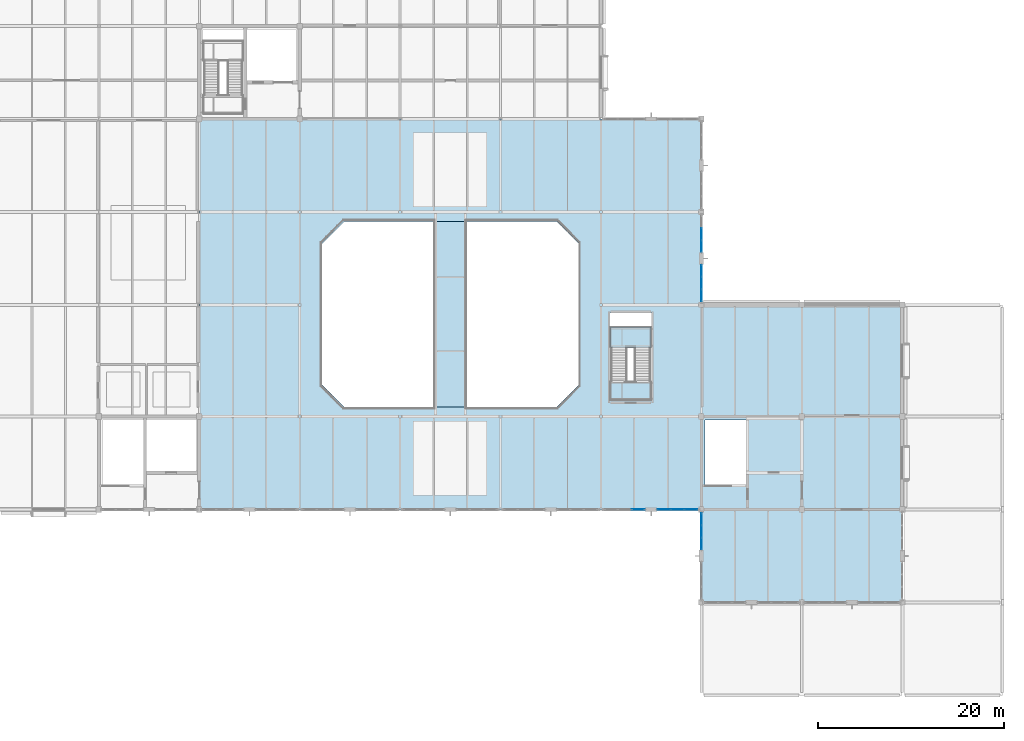
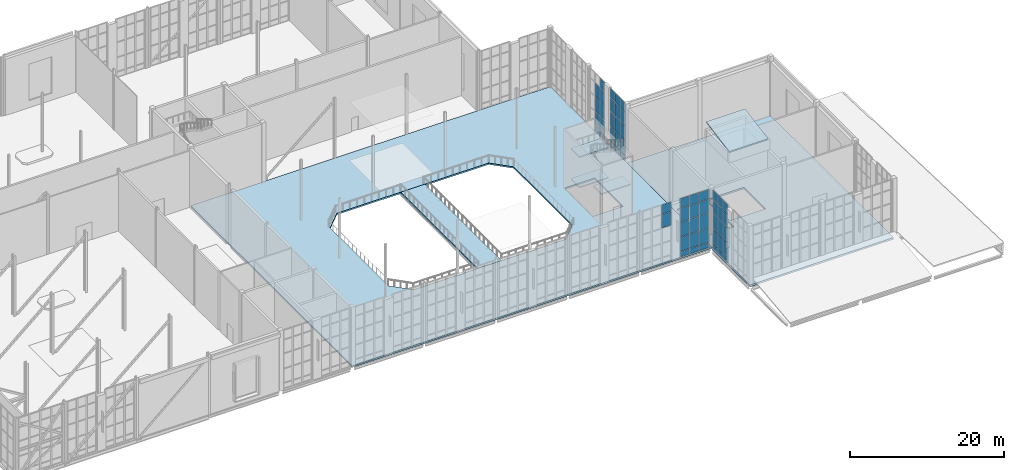
# One storey, part 68 of 100: 56 plates, 7 slabs, 6 elements without a shape of their own.
"""IFC4 building model written with IfcOpenShell, lengths in metres."""

from ifc_helpers import new_model, si_unit, direction, frame, origin, origin_2d, place, context, subcontext, project, spatial, polyline, rectangle, outline, extrude, material, layer, layer_set, type_object, element, aggregate, save


model = new_model("IFC4")

# Units and contexts
model_context = context("Model", 3, precision=1e-05, world=origin(), true_north=direction((0.0, 1.0)))
body_context = subcontext(model_context, "Body", "Model", "MODEL_VIEW")
ifc_project = project(units=[si_unit("LENGTHUNIT", "METRE"), si_unit("AREAUNIT", "SQUARE_METRE"), si_unit("VOLUMEUNIT", "CUBIC_METRE"), si_unit("PLANEANGLEUNIT", "RADIAN"), si_unit("MASSUNIT", "GRAM", prefix="KILO")], contexts=[model_context])

# Site, building, storey
site_placement = place(None, origin())
site = spatial("IfcSite", under=ifc_project, at=site_placement, CompositionType="ELEMENT")
building_placement = place(site_placement, origin())
building = spatial("IfcBuilding", under=site, at=building_placement, Name="Tasgan Crest Museum", CompositionType="ELEMENT")
storey_placement = place(building_placement, frame((0.0, 0.0, 14.39990234375)))
storey = spatial("IfcBuildingStorey", under=building, at=storey_placement, Name="L03", CompositionType="ELEMENT", Elevation=14.39990234375)

# Curtain wall, plates
ifc_material_1 = material(Name="Triple-Glazed Aluminium Curtain Wall", Category="aluminium")
ifc_layer_1 = layer(ifc_material_1, 0.179931640625, Name="CW-GAL-Y-96")
ifc_layer_set_1 = layer_set([ifc_layer_1], Name="Triple-Glazed Aluminium Curtain Wall")
curtain_wall_type_1 = type_object("IfcCurtainWallType", Name="CW-GAL-Y-96", PredefinedType="NOTDEFINED", material=ifc_layer_set_1)
curtain_wall_1_placement = place(storey_placement, origin())
curtain_wall_1 = element("IfcCurtainWall", 1, at=curtain_wall_1_placement, inside=storey, type_object=curtain_wall_type_1, Name="Curtain wall L03 111", PredefinedType="NOTDEFINED")
ifc_material_2 = material(Name="Insulated Spandrel Glass", Category="glass")
ifc_layer_2 = layer(ifc_material_2, 0.052001953125, Name="CW-PANEL-SPANDREL")
ifc_layer_set_2 = layer_set([ifc_layer_2], Name="Insulated Spandrel Glass")
plate_type_1 = type_object("IfcPlateType", Name="CW-PANEL-SPANDREL", PredefinedType="CURTAIN_PANEL", material=ifc_layer_set_2)
plate_1_placement = place(storey_placement, frame((108.0, 38.955078125, 0.06005859375), z_axis=(0.0, 0.0, 1.0), x_axis=(0.0, -1.0, 0.0)))
plate_1 = element("IfcPlate", 2, at=plate_1_placement, type_object=plate_type_1, Name="CW17 panel 1.1", PredefinedType="CURTAIN_PANEL", context=body_context, shape_type="SweptSolid", body=[
    extrude(rectangle(XDim=1.239990234375, YDim=0.028076171875, at=origin_2d()), origin(), (0.0, 0.0, 1.0), 0.81005859375),
])
plate_2_placement = place(storey_placement, frame((108.0, 37.639892578125, 0.06005859375), z_axis=(0.0, 0.0, 1.0), x_axis=(0.0, -1.0, 0.0)))
plate_2 = element("IfcPlate", 3, at=plate_2_placement, type_object=plate_type_1, Name="CW17 panel 2.1", PredefinedType="CURTAIN_PANEL", context=body_context, shape_type="SweptSolid", body=[
    extrude(rectangle(XDim=1.27001953125, YDim=0.028076171875, at=origin_2d()), origin(), (0.0, 0.0, 1.0), 0.81005859375),
])
plate_3_placement = place(storey_placement, frame((108.0, 36.324951171875, 0.06005859375), z_axis=(0.0, 0.0, 1.0), x_axis=(0.0, -1.0, 0.0)))
plate_3 = element("IfcPlate", 4, at=plate_3_placement, type_object=plate_type_1, Name="CW17 panel 3.1", PredefinedType="CURTAIN_PANEL", context=body_context, shape_type="SweptSolid", body=[
    extrude(rectangle(XDim=1.239990234375, YDim=0.028076171875, at=origin_2d()), origin(), (0.0, 0.0, 1.0), 0.81005859375),
])

ifc_material_3 = material(Name="Triple-Glazed Aluminium Curtain Wall", Category="aluminium")
ifc_layer_3 = layer(ifc_material_3, 0.179931640625, Name="CW-DRUM-Y10-96")
ifc_layer_set_3 = layer_set([ifc_layer_3], Name="Triple-Glazed Aluminium Curtain Wall")
curtain_wall_type_2 = type_object("IfcCurtainWallType", Name="CW-DRUM-Y10-96", PredefinedType="NOTDEFINED", material=ifc_layer_set_3)
curtain_wall_2_placement = place(storey_placement, origin())
curtain_wall_2 = element("IfcCurtainWall", 5, at=curtain_wall_2_placement, inside=storey, type_object=curtain_wall_type_2, Name="Curtain wall L03 119", PredefinedType="NOTDEFINED")
plate_4_placement = place(storey_placement, frame((108.0, 63.044921875, 0.06005859375), z_axis=(0.0, 0.0, 1.0), x_axis=(0.0, 1.0, 0.0)))
plate_4 = element("IfcPlate", 6, at=plate_4_placement, type_object=plate_type_1, Name="CW07 panel 1.1", PredefinedType="CURTAIN_PANEL", context=body_context, shape_type="SweptSolid", body=[
    extrude(rectangle(XDim=1.239990234375, YDim=0.028076171875, at=origin_2d()), origin(), (0.0, 0.0, 1.0), 0.81005859375),
])
plate_5_placement = place(storey_placement, frame((108.0, 64.360107421875, 0.06005859375), z_axis=(0.0, 0.0, 1.0), x_axis=(0.0, 1.0, 0.0)))
plate_5 = element("IfcPlate", 7, at=plate_5_placement, type_object=plate_type_1, Name="CW07 panel 2.1", PredefinedType="CURTAIN_PANEL", context=body_context, shape_type="SweptSolid", body=[
    extrude(rectangle(XDim=1.27001953125, YDim=0.028076171875, at=origin_2d()), origin(), (0.0, 0.0, 1.0), 0.81005859375),
])
plate_6_placement = place(storey_placement, frame((108.0, 65.675048828125, 0.06005859375), z_axis=(0.0, 0.0, 1.0), x_axis=(0.0, 1.0, 0.0)))
plate_6 = element("IfcPlate", 8, at=plate_6_placement, type_object=plate_type_1, Name="CW07 panel 3.1", PredefinedType="CURTAIN_PANEL", context=body_context, shape_type="SweptSolid", body=[
    extrude(rectangle(XDim=1.239990234375, YDim=0.028076171875, at=origin_2d()), origin(), (0.0, 0.0, 1.0), 0.81005859375),
])

curtain_wall_3_placement = place(storey_placement, origin())
curtain_wall_3 = element("IfcCurtainWall", 9, at=curtain_wall_3_placement, inside=storey, type_object=curtain_wall_type_2, Name="Curtain wall L03 120", PredefinedType="NOTDEFINED")
plate_7_placement = place(storey_placement, frame((108.0, 68.324951171875, 0.06005859375), z_axis=(0.0, 0.0, 1.0), x_axis=(0.0, 1.0, 0.0)))
plate_7 = element("IfcPlate", 10, at=plate_7_placement, type_object=plate_type_1, Name="CW07 panel 1.1", PredefinedType="CURTAIN_PANEL", context=body_context, shape_type="SweptSolid", body=[
    extrude(rectangle(XDim=1.239990234375, YDim=0.028076171875, at=origin_2d()), origin(), (0.0, 0.0, 1.0), 0.81005859375),
])
plate_8_placement = place(storey_placement, frame((108.0, 69.639892578125, 0.06005859375), z_axis=(0.0, 0.0, 1.0), x_axis=(0.0, 1.0, 0.0)))
plate_8 = element("IfcPlate", 11, at=plate_8_placement, type_object=plate_type_1, Name="CW07 panel 2.1", PredefinedType="CURTAIN_PANEL", context=body_context, shape_type="SweptSolid", body=[
    extrude(rectangle(XDim=1.27001953125, YDim=0.028076171875, at=origin_2d()), origin(), (0.0, 0.0, 1.0), 0.81005859375),
])

ifc_material_4 = material(Name="Triple-Glazed Aluminium Curtain Wall", Category="aluminium")
ifc_layer_4 = layer(ifc_material_4, 0.179931640625, Name="CW-DRUM-X-96")
ifc_layer_set_4 = layer_set([ifc_layer_4], Name="Triple-Glazed Aluminium Curtain Wall")
curtain_wall_type_3 = type_object("IfcCurtainWallType", Name="CW-DRUM-X-96", PredefinedType="NOTDEFINED", material=ifc_layer_set_4)
curtain_wall_4_placement = place(storey_placement, origin())
curtain_wall_4 = element("IfcCurtainWall", 12, at=curtain_wall_4_placement, inside=storey, type_object=curtain_wall_type_3, Name="Curtain wall L03 154", PredefinedType="NOTDEFINED")
plate_9_placement = place(storey_placement, frame((103.99169921875, 40.0, 0.06005859375), z_axis=(0.0, 0.0, 1.0), x_axis=(1.0, 0.0, 0.0)))
plate_9 = element("IfcPlate", 13, at=plate_9_placement, type_object=plate_type_1, Name="CW06 panel 1.1", PredefinedType="CURTAIN_PANEL", context=body_context, shape_type="SweptSolid", body=[
    extrude(rectangle(XDim=1.373291015625, YDim=0.028076171875, at=origin_2d()), origin(), (0.0, 0.0, 1.0), 0.81005859375),
])
plate_10_placement = place(storey_placement, frame((105.43994140625, 40.0, 0.06005859375), z_axis=(0.0, 0.0, 1.0), x_axis=(1.0, 0.0, 0.0)))
plate_10 = element("IfcPlate", 14, at=plate_10_placement, type_object=plate_type_1, Name="CW06 panel 2.1", PredefinedType="CURTAIN_PANEL", context=body_context, shape_type="SweptSolid", body=[
    extrude(rectangle(XDim=1.4033203125, YDim=0.028076171875, at=origin_2d()), origin(), (0.0, 0.0, 1.0), 0.81005859375),
])
plate_11_placement = place(storey_placement, frame((106.888427734375, 40.0, 0.06005859375), z_axis=(0.0, 0.0, 1.0), x_axis=(1.0, 0.0, 0.0)))
plate_11 = element("IfcPlate", 15, at=plate_11_placement, type_object=plate_type_1, Name="CW06 panel 3.1", PredefinedType="CURTAIN_PANEL", context=body_context, shape_type="SweptSolid", body=[
    extrude(rectangle(XDim=1.373291015625, YDim=0.028076171875, at=origin_2d()), origin(), (0.0, 0.0, 1.0), 0.81005859375),
])

# Plate
ifc_material_5 = material(Name="Low-E Triple Glazing", Category="glass")
ifc_layer_5 = layer(ifc_material_5, 0.0439453125, Name="CW-PANEL-TRIPLE")
ifc_layer_set_5 = layer_set([ifc_layer_5], Name="Low-E Triple Glazing")
plate_type_2 = type_object("IfcPlateType", Name="CW-PANEL-TRIPLE", PredefinedType="CURTAIN_PANEL", material=ifc_layer_set_5)
plate_12_placement = place(storey_placement, frame((108.0, 38.955078125, 0.93017578125), z_axis=(0.0, 0.0, 1.0), x_axis=(0.0, -1.0, 0.0)))
plate_12 = element("IfcPlate", 16, at=plate_12_placement, type_object=plate_type_2, Name="CW17 panel 1.2", PredefinedType="CURTAIN_PANEL", context=body_context, shape_type="SweptSolid", body=[
    extrude(rectangle(XDim=1.239990234375, YDim=0.028076171875, at=origin_2d()), origin(), (0.0, 0.0, 1.0), 2.239990234375),
])

plate_13_placement = place(storey_placement, frame((108.0, 38.955078125, 3.22998046875), z_axis=(0.0, 0.0, 1.0), x_axis=(0.0, -1.0, 0.0)))
plate_13 = element("IfcPlate", 17, at=plate_13_placement, type_object=plate_type_2, Name="CW17 panel 1.3", PredefinedType="CURTAIN_PANEL", context=body_context, shape_type="SweptSolid", body=[
    extrude(rectangle(XDim=1.239990234375, YDim=0.028076171875, at=origin_2d()), origin(), (0.0, 0.0, 1.0), 2.340087890625),
])

plate_14_placement = place(storey_placement, frame((108.0, 38.955078125, 5.63037109375), z_axis=(0.0, 0.0, 1.0), x_axis=(0.0, -1.0, 0.0)))
plate_14 = element("IfcPlate", 18, at=plate_14_placement, type_object=plate_type_2, Name="CW17 panel 1.4", PredefinedType="CURTAIN_PANEL", context=body_context, shape_type="SweptSolid", body=[
    extrude(rectangle(XDim=1.239990234375, YDim=0.028076171875, at=origin_2d()), origin(), (0.0, 0.0, 1.0), 2.139892578125),
])

plate_15_placement = place(storey_placement, frame((108.0, 38.955078125, 7.830078125), z_axis=(0.0, 0.0, 1.0), x_axis=(0.0, -1.0, 0.0)))
plate_15 = element("IfcPlate", 19, at=plate_15_placement, type_object=plate_type_2, Name="CW17 panel 1.5", PredefinedType="CURTAIN_PANEL", context=body_context, shape_type="SweptSolid", body=[
    extrude(rectangle(XDim=1.239990234375, YDim=0.028076171875, at=origin_2d()), origin(), (0.0, 0.0, 1.0), 1.469970703125),
])

plate_16_placement = place(storey_placement, frame((108.0, 37.639892578125, 0.93017578125), z_axis=(0.0, 0.0, 1.0), x_axis=(0.0, -1.0, 0.0)))
plate_16 = element("IfcPlate", 20, at=plate_16_placement, type_object=plate_type_2, Name="CW17 panel 2.2", PredefinedType="CURTAIN_PANEL", context=body_context, shape_type="SweptSolid", body=[
    extrude(rectangle(XDim=1.27001953125, YDim=0.028076171875, at=origin_2d()), origin(), (0.0, 0.0, 1.0), 2.239990234375),
])

plate_17_placement = place(storey_placement, frame((108.0, 37.639892578125, 3.22998046875), z_axis=(0.0, 0.0, 1.0), x_axis=(0.0, -1.0, 0.0)))
plate_17 = element("IfcPlate", 21, at=plate_17_placement, type_object=plate_type_2, Name="CW17 panel 2.3", PredefinedType="CURTAIN_PANEL", context=body_context, shape_type="SweptSolid", body=[
    extrude(rectangle(XDim=1.27001953125, YDim=0.028076171875, at=origin_2d()), origin(), (0.0, 0.0, 1.0), 2.340087890625),
])

plate_18_placement = place(storey_placement, frame((108.0, 37.639892578125, 5.63037109375), z_axis=(0.0, 0.0, 1.0), x_axis=(0.0, -1.0, 0.0)))
plate_18 = element("IfcPlate", 22, at=plate_18_placement, type_object=plate_type_2, Name="CW17 panel 2.4", PredefinedType="CURTAIN_PANEL", context=body_context, shape_type="SweptSolid", body=[
    extrude(rectangle(XDim=1.27001953125, YDim=0.028076171875, at=origin_2d()), origin(), (0.0, 0.0, 1.0), 2.139892578125),
])

plate_19_placement = place(storey_placement, frame((108.0, 37.639892578125, 7.830078125), z_axis=(0.0, 0.0, 1.0), x_axis=(0.0, -1.0, 0.0)))
plate_19 = element("IfcPlate", 23, at=plate_19_placement, type_object=plate_type_2, Name="CW17 panel 2.5", PredefinedType="CURTAIN_PANEL", context=body_context, shape_type="SweptSolid", body=[
    extrude(rectangle(XDim=1.27001953125, YDim=0.028076171875, at=origin_2d()), origin(), (0.0, 0.0, 1.0), 1.469970703125),
])

plate_20_placement = place(storey_placement, frame((108.0, 36.324951171875, 0.93017578125), z_axis=(0.0, 0.0, 1.0), x_axis=(0.0, -1.0, 0.0)))
plate_20 = element("IfcPlate", 24, at=plate_20_placement, type_object=plate_type_2, Name="CW17 panel 3.2", PredefinedType="CURTAIN_PANEL", context=body_context, shape_type="SweptSolid", body=[
    extrude(rectangle(XDim=1.239990234375, YDim=0.028076171875, at=origin_2d()), origin(), (0.0, 0.0, 1.0), 2.239990234375),
])

plate_21_placement = place(storey_placement, frame((108.0, 36.324951171875, 3.22998046875), z_axis=(0.0, 0.0, 1.0), x_axis=(0.0, -1.0, 0.0)))
plate_21 = element("IfcPlate", 25, at=plate_21_placement, type_object=plate_type_2, Name="CW17 panel 3.3", PredefinedType="CURTAIN_PANEL", context=body_context, shape_type="SweptSolid", body=[
    extrude(rectangle(XDim=1.239990234375, YDim=0.028076171875, at=origin_2d()), origin(), (0.0, 0.0, 1.0), 2.340087890625),
])

plate_22_placement = place(storey_placement, frame((108.0, 36.324951171875, 5.63037109375), z_axis=(0.0, 0.0, 1.0), x_axis=(0.0, -1.0, 0.0)))
plate_22 = element("IfcPlate", 26, at=plate_22_placement, type_object=plate_type_2, Name="CW17 panel 3.4", PredefinedType="CURTAIN_PANEL", context=body_context, shape_type="SweptSolid", body=[
    extrude(rectangle(XDim=1.239990234375, YDim=0.028076171875, at=origin_2d()), origin(), (0.0, 0.0, 1.0), 2.139892578125),
])

plate_23_placement = place(storey_placement, frame((108.0, 36.324951171875, 7.830078125), z_axis=(0.0, 0.0, 1.0), x_axis=(0.0, -1.0, 0.0)))
plate_23 = element("IfcPlate", 27, at=plate_23_placement, type_object=plate_type_2, Name="CW17 panel 3.5", PredefinedType="CURTAIN_PANEL", context=body_context, shape_type="SweptSolid", body=[
    extrude(rectangle(XDim=1.239990234375, YDim=0.028076171875, at=origin_2d()), origin(), (0.0, 0.0, 1.0), 1.469970703125),
])

aggregate(curtain_wall_1, [plate_1, plate_12, plate_13, plate_14, plate_15, plate_2, plate_16, plate_17, plate_18, plate_19, plate_3, plate_20, plate_21, plate_22, plate_23])

plate_24_placement = place(storey_placement, frame((108.0, 63.044921875, 0.93017578125), z_axis=(0.0, 0.0, 1.0), x_axis=(0.0, 1.0, 0.0)))
plate_24 = element("IfcPlate", 28, at=plate_24_placement, type_object=plate_type_2, Name="CW07 panel 1.2", PredefinedType="CURTAIN_PANEL", context=body_context, shape_type="SweptSolid", body=[
    extrude(rectangle(XDim=1.239990234375, YDim=0.028076171875, at=origin_2d()), origin(), (0.0, 0.0, 1.0), 2.239990234375),
])

plate_25_placement = place(storey_placement, frame((108.0, 63.044921875, 3.22998046875), z_axis=(0.0, 0.0, 1.0), x_axis=(0.0, 1.0, 0.0)))
plate_25 = element("IfcPlate", 29, at=plate_25_placement, type_object=plate_type_2, Name="CW07 panel 1.3", PredefinedType="CURTAIN_PANEL", context=body_context, shape_type="SweptSolid", body=[
    extrude(rectangle(XDim=1.239990234375, YDim=0.028076171875, at=origin_2d()), origin(), (0.0, 0.0, 1.0), 2.340087890625),
])

plate_26_placement = place(storey_placement, frame((108.0, 63.044921875, 5.63037109375), z_axis=(0.0, 0.0, 1.0), x_axis=(0.0, 1.0, 0.0)))
plate_26 = element("IfcPlate", 30, at=plate_26_placement, type_object=plate_type_2, Name="CW07 panel 1.4", PredefinedType="CURTAIN_PANEL", context=body_context, shape_type="SweptSolid", body=[
    extrude(rectangle(XDim=1.239990234375, YDim=0.028076171875, at=origin_2d()), origin(), (0.0, 0.0, 1.0), 2.139892578125),
])

plate_27_placement = place(storey_placement, frame((108.0, 63.044921875, 7.830078125), z_axis=(0.0, 0.0, 1.0), x_axis=(0.0, 1.0, 0.0)))
plate_27 = element("IfcPlate", 31, at=plate_27_placement, type_object=plate_type_2, Name="CW07 panel 1.5", PredefinedType="CURTAIN_PANEL", context=body_context, shape_type="SweptSolid", body=[
    extrude(rectangle(XDim=1.239990234375, YDim=0.028076171875, at=origin_2d()), origin(), (0.0, 0.0, 1.0), 1.469970703125),
])

plate_28_placement = place(storey_placement, frame((108.0, 64.360107421875, 0.93017578125), z_axis=(0.0, 0.0, 1.0), x_axis=(0.0, 1.0, 0.0)))
plate_28 = element("IfcPlate", 32, at=plate_28_placement, type_object=plate_type_2, Name="CW07 panel 2.2", PredefinedType="CURTAIN_PANEL", context=body_context, shape_type="SweptSolid", body=[
    extrude(rectangle(XDim=1.27001953125, YDim=0.028076171875, at=origin_2d()), origin(), (0.0, 0.0, 1.0), 2.239990234375),
])

plate_29_placement = place(storey_placement, frame((108.0, 64.360107421875, 3.22998046875), z_axis=(0.0, 0.0, 1.0), x_axis=(0.0, 1.0, 0.0)))
plate_29 = element("IfcPlate", 33, at=plate_29_placement, type_object=plate_type_2, Name="CW07 panel 2.3", PredefinedType="CURTAIN_PANEL", context=body_context, shape_type="SweptSolid", body=[
    extrude(rectangle(XDim=1.27001953125, YDim=0.028076171875, at=origin_2d()), origin(), (0.0, 0.0, 1.0), 2.340087890625),
])

plate_30_placement = place(storey_placement, frame((108.0, 64.360107421875, 5.63037109375), z_axis=(0.0, 0.0, 1.0), x_axis=(0.0, 1.0, 0.0)))
plate_30 = element("IfcPlate", 34, at=plate_30_placement, type_object=plate_type_2, Name="CW07 panel 2.4", PredefinedType="CURTAIN_PANEL", context=body_context, shape_type="SweptSolid", body=[
    extrude(rectangle(XDim=1.27001953125, YDim=0.028076171875, at=origin_2d()), origin(), (0.0, 0.0, 1.0), 2.139892578125),
])

plate_31_placement = place(storey_placement, frame((108.0, 64.360107421875, 7.830078125), z_axis=(0.0, 0.0, 1.0), x_axis=(0.0, 1.0, 0.0)))
plate_31 = element("IfcPlate", 35, at=plate_31_placement, type_object=plate_type_2, Name="CW07 panel 2.5", PredefinedType="CURTAIN_PANEL", context=body_context, shape_type="SweptSolid", body=[
    extrude(rectangle(XDim=1.27001953125, YDim=0.028076171875, at=origin_2d()), origin(), (0.0, 0.0, 1.0), 1.469970703125),
])

plate_32_placement = place(storey_placement, frame((108.0, 65.675048828125, 0.93017578125), z_axis=(0.0, 0.0, 1.0), x_axis=(0.0, 1.0, 0.0)))
plate_32 = element("IfcPlate", 36, at=plate_32_placement, type_object=plate_type_2, Name="CW07 panel 3.2", PredefinedType="CURTAIN_PANEL", context=body_context, shape_type="SweptSolid", body=[
    extrude(rectangle(XDim=1.239990234375, YDim=0.028076171875, at=origin_2d()), origin(), (0.0, 0.0, 1.0), 2.239990234375),
])

plate_33_placement = place(storey_placement, frame((108.0, 65.675048828125, 3.22998046875), z_axis=(0.0, 0.0, 1.0), x_axis=(0.0, 1.0, 0.0)))
plate_33 = element("IfcPlate", 37, at=plate_33_placement, type_object=plate_type_2, Name="CW07 panel 3.3", PredefinedType="CURTAIN_PANEL", context=body_context, shape_type="SweptSolid", body=[
    extrude(rectangle(XDim=1.239990234375, YDim=0.028076171875, at=origin_2d()), origin(), (0.0, 0.0, 1.0), 2.340087890625),
])

plate_34_placement = place(storey_placement, frame((108.0, 65.675048828125, 5.63037109375), z_axis=(0.0, 0.0, 1.0), x_axis=(0.0, 1.0, 0.0)))
plate_34 = element("IfcPlate", 38, at=plate_34_placement, type_object=plate_type_2, Name="CW07 panel 3.4", PredefinedType="CURTAIN_PANEL", context=body_context, shape_type="SweptSolid", body=[
    extrude(rectangle(XDim=1.239990234375, YDim=0.028076171875, at=origin_2d()), origin(), (0.0, 0.0, 1.0), 2.139892578125),
])

plate_35_placement = place(storey_placement, frame((108.0, 65.675048828125, 7.830078125), z_axis=(0.0, 0.0, 1.0), x_axis=(0.0, 1.0, 0.0)))
plate_35 = element("IfcPlate", 39, at=plate_35_placement, type_object=plate_type_2, Name="CW07 panel 3.5", PredefinedType="CURTAIN_PANEL", context=body_context, shape_type="SweptSolid", body=[
    extrude(rectangle(XDim=1.239990234375, YDim=0.028076171875, at=origin_2d()), origin(), (0.0, 0.0, 1.0), 1.469970703125),
])

aggregate(curtain_wall_2, [plate_4, plate_24, plate_25, plate_26, plate_27, plate_5, plate_28, plate_29, plate_30, plate_31, plate_6, plate_32, plate_33, plate_34, plate_35])

plate_36_placement = place(storey_placement, frame((108.0, 68.324951171875, 0.93017578125), z_axis=(0.0, 0.0, 1.0), x_axis=(0.0, 1.0, 0.0)))
plate_36 = element("IfcPlate", 40, at=plate_36_placement, type_object=plate_type_2, Name="CW07 panel 1.2", PredefinedType="CURTAIN_PANEL", context=body_context, shape_type="SweptSolid", body=[
    extrude(rectangle(XDim=1.239990234375, YDim=0.028076171875, at=origin_2d()), origin(), (0.0, 0.0, 1.0), 2.239990234375),
])

plate_37_placement = place(storey_placement, frame((108.0, 68.324951171875, 3.22998046875), z_axis=(0.0, 0.0, 1.0), x_axis=(0.0, 1.0, 0.0)))
plate_37 = element("IfcPlate", 41, at=plate_37_placement, type_object=plate_type_2, Name="CW07 panel 1.3", PredefinedType="CURTAIN_PANEL", context=body_context, shape_type="SweptSolid", body=[
    extrude(rectangle(XDim=1.239990234375, YDim=0.028076171875, at=origin_2d()), origin(), (0.0, 0.0, 1.0), 2.340087890625),
])

plate_38_placement = place(storey_placement, frame((108.0, 68.324951171875, 5.63037109375), z_axis=(0.0, 0.0, 1.0), x_axis=(0.0, 1.0, 0.0)))
plate_38 = element("IfcPlate", 42, at=plate_38_placement, type_object=plate_type_2, Name="CW07 panel 1.4", PredefinedType="CURTAIN_PANEL", context=body_context, shape_type="SweptSolid", body=[
    extrude(rectangle(XDim=1.239990234375, YDim=0.028076171875, at=origin_2d()), origin(), (0.0, 0.0, 1.0), 2.139892578125),
])

plate_39_placement = place(storey_placement, frame((108.0, 68.324951171875, 7.830078125), z_axis=(0.0, 0.0, 1.0), x_axis=(0.0, 1.0, 0.0)))
plate_39 = element("IfcPlate", 43, at=plate_39_placement, type_object=plate_type_2, Name="CW07 panel 1.5", PredefinedType="CURTAIN_PANEL", context=body_context, shape_type="SweptSolid", body=[
    extrude(rectangle(XDim=1.239990234375, YDim=0.028076171875, at=origin_2d()), origin(), (0.0, 0.0, 1.0), 1.469970703125),
])

plate_40_placement = place(storey_placement, frame((108.0, 69.639892578125, 0.93017578125), z_axis=(0.0, 0.0, 1.0), x_axis=(0.0, 1.0, 0.0)))
plate_40 = element("IfcPlate", 44, at=plate_40_placement, type_object=plate_type_2, Name="CW07 panel 2.2", PredefinedType="CURTAIN_PANEL", context=body_context, shape_type="SweptSolid", body=[
    extrude(rectangle(XDim=1.27001953125, YDim=0.028076171875, at=origin_2d()), origin(), (0.0, 0.0, 1.0), 2.239990234375),
])

plate_41_placement = place(storey_placement, frame((108.0, 69.639892578125, 3.22998046875), z_axis=(0.0, 0.0, 1.0), x_axis=(0.0, 1.0, 0.0)))
plate_41 = element("IfcPlate", 45, at=plate_41_placement, type_object=plate_type_2, Name="CW07 panel 2.3", PredefinedType="CURTAIN_PANEL", context=body_context, shape_type="SweptSolid", body=[
    extrude(rectangle(XDim=1.27001953125, YDim=0.028076171875, at=origin_2d()), origin(), (0.0, 0.0, 1.0), 2.340087890625),
])

plate_42_placement = place(storey_placement, frame((108.0, 69.639892578125, 5.63037109375), z_axis=(0.0, 0.0, 1.0), x_axis=(0.0, 1.0, 0.0)))
plate_42 = element("IfcPlate", 46, at=plate_42_placement, type_object=plate_type_2, Name="CW07 panel 2.4", PredefinedType="CURTAIN_PANEL", context=body_context, shape_type="SweptSolid", body=[
    extrude(rectangle(XDim=1.27001953125, YDim=0.028076171875, at=origin_2d()), origin(), (0.0, 0.0, 1.0), 2.139892578125),
])

aggregate(curtain_wall_3, [plate_7, plate_36, plate_37, plate_38, plate_39, plate_8, plate_40, plate_41, plate_42])

# Curtain wall, plates
curtain_wall_5_placement = place(storey_placement, origin())
curtain_wall_5 = element("IfcCurtainWall", 47, at=curtain_wall_5_placement, inside=storey, type_object=curtain_wall_type_3, Name="Curtain wall L03 153", PredefinedType="NOTDEFINED")
plate_43_placement = place(storey_placement, frame((101.208251953125, 40.0, 5.63037109375), z_axis=(0.0, 0.0, 1.0), x_axis=(1.0, 0.0, 0.0)))
plate_43 = element("IfcPlate", 48, at=plate_43_placement, type_object=plate_type_2, Name="CW06 panel 3.4", PredefinedType="CURTAIN_PANEL", context=body_context, shape_type="SweptSolid", body=[
    extrude(rectangle(XDim=1.373291015625, YDim=0.028076171875, at=origin_2d()), origin(), (0.0, 0.0, 1.0), 2.139892578125),
])
plate_44_placement = place(storey_placement, frame((101.208251953125, 40.0, 7.830078125), z_axis=(0.0, 0.0, 1.0), x_axis=(1.0, 0.0, 0.0)))
plate_44 = element("IfcPlate", 49, at=plate_44_placement, type_object=plate_type_2, Name="CW06 panel 3.5", PredefinedType="CURTAIN_PANEL", context=body_context, shape_type="SweptSolid", body=[
    extrude(rectangle(XDim=1.373291015625, YDim=0.028076171875, at=origin_2d()), origin(), (0.0, 0.0, 1.0), 1.469970703125),
])
aggregate(curtain_wall_5, [plate_43, plate_44])

# Plate
plate_45_placement = place(storey_placement, frame((103.99169921875, 40.0, 0.93017578125), z_axis=(0.0, 0.0, 1.0), x_axis=(1.0, 0.0, 0.0)))
plate_45 = element("IfcPlate", 50, at=plate_45_placement, type_object=plate_type_2, Name="CW06 panel 1.2", PredefinedType="CURTAIN_PANEL", context=body_context, shape_type="SweptSolid", body=[
    extrude(rectangle(XDim=1.373291015625, YDim=0.028076171875, at=origin_2d()), origin(), (0.0, 0.0, 1.0), 2.239990234375),
])

plate_46_placement = place(storey_placement, frame((103.99169921875, 40.0, 3.22998046875), z_axis=(0.0, 0.0, 1.0), x_axis=(1.0, 0.0, 0.0)))
plate_46 = element("IfcPlate", 51, at=plate_46_placement, type_object=plate_type_2, Name="CW06 panel 1.3", PredefinedType="CURTAIN_PANEL", context=body_context, shape_type="SweptSolid", body=[
    extrude(rectangle(XDim=1.373291015625, YDim=0.028076171875, at=origin_2d()), origin(), (0.0, 0.0, 1.0), 2.340087890625),
])

plate_47_placement = place(storey_placement, frame((103.99169921875, 40.0, 5.63037109375), z_axis=(0.0, 0.0, 1.0), x_axis=(1.0, 0.0, 0.0)))
plate_47 = element("IfcPlate", 52, at=plate_47_placement, type_object=plate_type_2, Name="CW06 panel 1.4", PredefinedType="CURTAIN_PANEL", context=body_context, shape_type="SweptSolid", body=[
    extrude(rectangle(XDim=1.373291015625, YDim=0.028076171875, at=origin_2d()), origin(), (0.0, 0.0, 1.0), 2.139892578125),
])

plate_48_placement = place(storey_placement, frame((103.99169921875, 40.0, 7.830078125), z_axis=(0.0, 0.0, 1.0), x_axis=(1.0, 0.0, 0.0)))
plate_48 = element("IfcPlate", 53, at=plate_48_placement, type_object=plate_type_2, Name="CW06 panel 1.5", PredefinedType="CURTAIN_PANEL", context=body_context, shape_type="SweptSolid", body=[
    extrude(rectangle(XDim=1.373291015625, YDim=0.028076171875, at=origin_2d()), origin(), (0.0, 0.0, 1.0), 1.469970703125),
])

plate_49_placement = place(storey_placement, frame((105.43994140625, 40.0, 0.93017578125), z_axis=(0.0, 0.0, 1.0), x_axis=(1.0, 0.0, 0.0)))
plate_49 = element("IfcPlate", 54, at=plate_49_placement, type_object=plate_type_2, Name="CW06 panel 2.2", PredefinedType="CURTAIN_PANEL", context=body_context, shape_type="SweptSolid", body=[
    extrude(rectangle(XDim=1.4033203125, YDim=0.028076171875, at=origin_2d()), origin(), (0.0, 0.0, 1.0), 2.239990234375),
])

plate_50_placement = place(storey_placement, frame((105.43994140625, 40.0, 3.22998046875), z_axis=(0.0, 0.0, 1.0), x_axis=(1.0, 0.0, 0.0)))
plate_50 = element("IfcPlate", 55, at=plate_50_placement, type_object=plate_type_2, Name="CW06 panel 2.3", PredefinedType="CURTAIN_PANEL", context=body_context, shape_type="SweptSolid", body=[
    extrude(rectangle(XDim=1.4033203125, YDim=0.028076171875, at=origin_2d()), origin(), (0.0, 0.0, 1.0), 2.340087890625),
])

plate_51_placement = place(storey_placement, frame((105.43994140625, 40.0, 5.63037109375), z_axis=(0.0, 0.0, 1.0), x_axis=(1.0, 0.0, 0.0)))
plate_51 = element("IfcPlate", 56, at=plate_51_placement, type_object=plate_type_2, Name="CW06 panel 2.4", PredefinedType="CURTAIN_PANEL", context=body_context, shape_type="SweptSolid", body=[
    extrude(rectangle(XDim=1.4033203125, YDim=0.028076171875, at=origin_2d()), origin(), (0.0, 0.0, 1.0), 2.139892578125),
])

plate_52_placement = place(storey_placement, frame((105.43994140625, 40.0, 7.830078125), z_axis=(0.0, 0.0, 1.0), x_axis=(1.0, 0.0, 0.0)))
plate_52 = element("IfcPlate", 57, at=plate_52_placement, type_object=plate_type_2, Name="CW06 panel 2.5", PredefinedType="CURTAIN_PANEL", context=body_context, shape_type="SweptSolid", body=[
    extrude(rectangle(XDim=1.4033203125, YDim=0.028076171875, at=origin_2d()), origin(), (0.0, 0.0, 1.0), 1.469970703125),
])

plate_53_placement = place(storey_placement, frame((106.888427734375, 40.0, 0.93017578125), z_axis=(0.0, 0.0, 1.0), x_axis=(1.0, 0.0, 0.0)))
plate_53 = element("IfcPlate", 58, at=plate_53_placement, type_object=plate_type_2, Name="CW06 panel 3.2", PredefinedType="CURTAIN_PANEL", context=body_context, shape_type="SweptSolid", body=[
    extrude(rectangle(XDim=1.373291015625, YDim=0.028076171875, at=origin_2d()), origin(), (0.0, 0.0, 1.0), 2.239990234375),
])

plate_54_placement = place(storey_placement, frame((106.888427734375, 40.0, 3.22998046875), z_axis=(0.0, 0.0, 1.0), x_axis=(1.0, 0.0, 0.0)))
plate_54 = element("IfcPlate", 59, at=plate_54_placement, type_object=plate_type_2, Name="CW06 panel 3.3", PredefinedType="CURTAIN_PANEL", context=body_context, shape_type="SweptSolid", body=[
    extrude(rectangle(XDim=1.373291015625, YDim=0.028076171875, at=origin_2d()), origin(), (0.0, 0.0, 1.0), 2.340087890625),
])

plate_55_placement = place(storey_placement, frame((106.888427734375, 40.0, 5.63037109375), z_axis=(0.0, 0.0, 1.0), x_axis=(1.0, 0.0, 0.0)))
plate_55 = element("IfcPlate", 60, at=plate_55_placement, type_object=plate_type_2, Name="CW06 panel 3.4", PredefinedType="CURTAIN_PANEL", context=body_context, shape_type="SweptSolid", body=[
    extrude(rectangle(XDim=1.373291015625, YDim=0.028076171875, at=origin_2d()), origin(), (0.0, 0.0, 1.0), 2.139892578125),
])

plate_56_placement = place(storey_placement, frame((106.888427734375, 40.0, 7.830078125), z_axis=(0.0, 0.0, 1.0), x_axis=(1.0, 0.0, 0.0)))
plate_56 = element("IfcPlate", 61, at=plate_56_placement, type_object=plate_type_2, Name="CW06 panel 3.5", PredefinedType="CURTAIN_PANEL", context=body_context, shape_type="SweptSolid", body=[
    extrude(rectangle(XDim=1.373291015625, YDim=0.028076171875, at=origin_2d()), origin(), (0.0, 0.0, 1.0), 1.469970703125),
])

aggregate(curtain_wall_4, [plate_9, plate_45, plate_46, plate_47, plate_48, plate_10, plate_49, plate_50, plate_51, plate_52, plate_11, plate_53, plate_54, plate_55, plate_56])

# Slabs
ifc_material_6 = material(Name="Concrete C35/45", Category="concrete")
ifc_layer_6 = layer(ifc_material_6, 0.239990234375, Name="SL-FLR-240")
ifc_layer_set_6 = layer_set([ifc_layer_6], Name="Concrete C35/45")
slab_type_1 = type_object("IfcSlabType", Name="SL-FLR-240", PredefinedType="FLOOR", material=ifc_layer_set_6)
slab_1_placement = place(storey_placement, frame((0.0, 0.0, -0.239990234375)))
element("IfcSlab", 62, at=slab_1_placement, inside=storey, type_object=slab_type_1, Name="Floor slab L03 V2", PredefinedType="FLOOR", context=body_context, shape_type="SweptSolid", body=[
    extrude(outline(polyline([(54.0, 40.0), (108.0, 40.0), (108.0, 82.0), (54.0, 82.0), (54.0, 40.0)]), holes=[polyline([(69.60009765625, 51.0), (92.39990234375, 51.0), (94.800048828125, 53.39990234375), (94.800048828125, 68.60009765625), (92.39990234375, 71.0), (69.60009765625, 71.0), (67.199951171875, 68.60009765625), (67.199951171875, 53.39990234375), (69.60009765625, 51.0)]), polyline([(98.14990234375, 53.75), (102.64990234375, 53.75), (102.64990234375, 61.14990234375), (98.14990234375, 61.14990234375), (98.14990234375, 53.75)])]), origin(), (0.0, 0.0, 1.0), 0.239990234375),
])
slab_2_placement = place(storey_placement, frame((0.0, 0.0, -0.239990234375)))
element("IfcSlab", 63, at=slab_2_placement, inside=storey, type_object=slab_type_1, Name="Atrium bridge deck L03", PredefinedType="FLOOR", context=body_context, shape_type="SweptSolid", body=[
    extrude(outline(polyline([(79.199951171875, 51.0), (82.800048828125, 51.0), (82.800048828125, 71.0), (79.199951171875, 71.0), (79.199951171875, 51.0)])), origin(), (0.0, 0.0, 1.0), 0.239990234375),
])
ifc_material_7 = material(Name="Concrete C35/45", Category="concrete")
ifc_layer_7 = layer(ifc_material_7, 0.280029296875, Name="SL-FLR-280")
ifc_layer_set_7 = layer_set([ifc_layer_7], Name="Concrete C35/45")
slab_type_2 = type_object("IfcSlabType", Name="SL-FLR-280", PredefinedType="FLOOR", material=ifc_layer_set_7)
slab_3_placement = place(storey_placement, frame((0.0, 0.0, -0.27978515625)))
element("IfcSlab", 64, at=slab_3_placement, inside=storey, type_object=slab_type_2, Name="Floor slab L03 V3", PredefinedType="FLOOR", context=body_context, shape_type="SweptSolid", body=[
    extrude(outline(polyline([(108.0, 30.0), (129.60009765625, 30.0), (129.60009765625, 62.0), (108.0, 62.0), (108.0, 30.0)]), holes=[polyline([(108.3798828125, 42.550048828125), (112.800048828125, 42.550048828125), (112.800048828125, 49.6201171875), (108.3798828125, 49.6201171875), (108.3798828125, 42.550048828125)]), polyline([(113.050048828125, 44.0), (118.419921875, 44.0), (118.419921875, 49.6201171875), (113.050048828125, 49.6201171875), (113.050048828125, 44.0)])]), origin(), (0.0, 0.0, 1.0), 0.27978515625),
])

# Stair, slabs
ifc_material_8 = material(Name="Steel S355J2", Category="steel")
stair_type = type_object("IfcStairType", Name="ST-FEAT-96", PredefinedType="HALF_TURN_STAIR", material=ifc_material_8)
stair_placement = place(storey_placement, origin())
stair = element("IfcStair", 65, at=stair_placement, inside=storey, type_object=stair_type, Name="Stair ST-AT-L03 L03", PredefinedType="HALF_TURN_STAIR")
ifc_material_9 = material(Name="Concrete C35/45", Category="concrete")
ifc_layer_8 = layer(ifc_material_9, 0.199951171875, Name="SL-LAND-200")
ifc_layer_set_8 = layer_set([ifc_layer_8], Name="Concrete C35/45")
slab_type_3 = type_object("IfcSlabType", Name="SL-LAND-200", PredefinedType="LANDING", material=ifc_layer_set_8)
slab_4_placement = place(storey_placement, frame((0.0, 0.0, 2.2001953125)))
slab_4 = element("IfcSlab", 66, at=slab_4_placement, type_object=slab_type_3, Name="ST-AT-L03 landing 1", PredefinedType="LANDING", context=body_context, shape_type="SweptSolid", body=[
    extrude(outline(polyline([(98.199951171875, 57.405029296875), (102.60009765625, 57.405029296875), (102.60009765625, 59.655029296875), (98.199951171875, 59.655029296875), (98.199951171875, 57.405029296875)])), origin(), (0.0, 0.0, 1.0), 0.199951171875),
])
slab_5_placement = place(storey_placement, frame((0.0, 0.0, 4.60009765625)))
slab_5 = element("IfcSlab", 67, at=slab_5_placement, type_object=slab_type_3, Name="ST-AT-L03 landing 2", PredefinedType="LANDING", context=body_context, shape_type="SweptSolid", body=[
    extrude(outline(polyline([(98.199951171875, 51.699951171875), (102.60009765625, 51.699951171875), (102.60009765625, 53.800048828125), (98.199951171875, 53.800048828125), (98.199951171875, 51.699951171875)])), origin(), (0.0, 0.0, 1.0), 0.199951171875),
])
slab_6_placement = place(storey_placement, frame((0.0, 0.0, 7.0)))
slab_6 = element("IfcSlab", 68, at=slab_6_placement, type_object=slab_type_3, Name="ST-AT-L03 landing 3", PredefinedType="LANDING", context=body_context, shape_type="SweptSolid", body=[
    extrude(outline(polyline([(98.199951171875, 57.405029296875), (102.60009765625, 57.405029296875), (102.60009765625, 59.655029296875), (98.199951171875, 59.655029296875), (98.199951171875, 57.405029296875)])), origin(), (0.0, 0.0, 1.0), 0.2001953125),
])
aggregate(stair, [slab_4, slab_5, slab_6])

# Slab
ifc_material_10 = material(Name="Concrete C35/45", Category="concrete")
ifc_layer_9 = layer(ifc_material_10, 0.199951171875, Name="SL-ROOF-200")
ifc_layer_set_9 = layer_set([ifc_layer_9], Name="Concrete C35/45")
slab_type_4 = type_object("IfcSlabType", Name="SL-ROOF-200", PredefinedType="ROOF", material=ifc_layer_set_9)
slab_7_placement = place(storey_placement, frame((112.949951171875, 43.949951171875, 11.0), z_axis=(0.0, -0.188263371777, 0.982118578812), x_axis=(1.0, 0.0, 0.0)))
element("IfcSlab", 69, at=slab_7_placement, inside=storey, type_object=slab_type_4, Name="East Conservation Core lift overrun sloped cap", PredefinedType="ROOF", context=body_context, shape_type="SweptSolid", body=[
    extrude(outline(polyline([(0.0, 0.0), (5.85009765625, 0.0), (5.85009765625, 6.109241928056227), (0.0, 6.109241928056227), (0.0, 0.0)])), origin(), (0.0, 0.0, -1.0), 0.199951171875),
])

save(model, "model.ifc")
